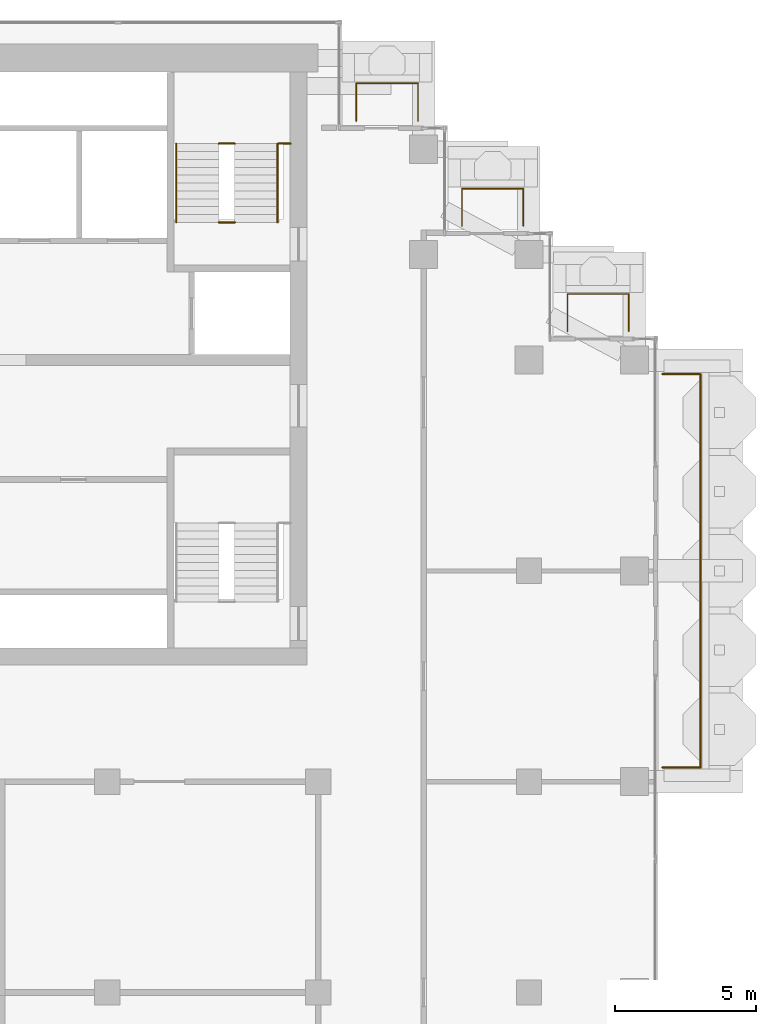
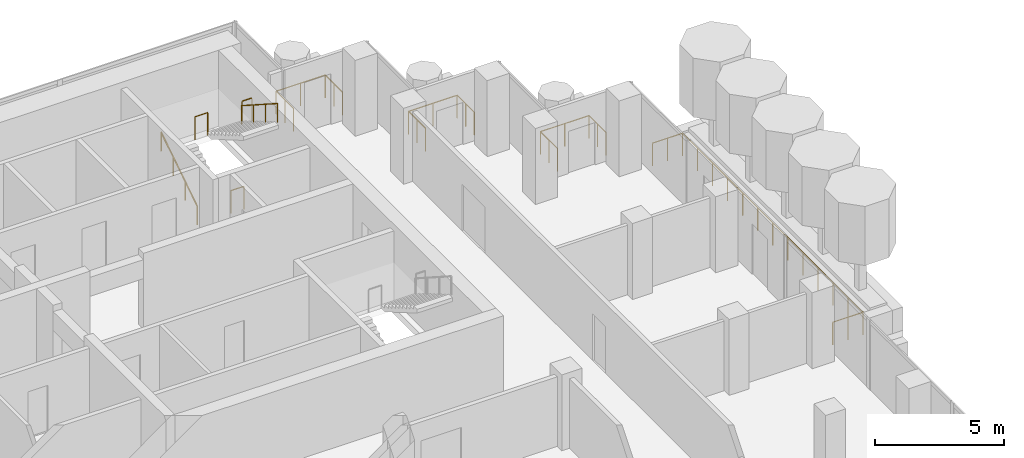
# One storey, part 17 of 18: 9 railings.
"""IFC4 building model written with IfcOpenShell, lengths in metres."""

from ifc_helpers import new_model, si_unit, direction, frame, origin, origin_2d, place, context, subcontext, project, spatial, circle, extrude, material, type_object, element, save


model = new_model("IFC4")

# Units and contexts
model_context = context("Model", 3, precision=1e-05, world=origin(), true_north=direction((0.0, 1.0)))
body_context = subcontext(model_context, "Body", "Model", "MODEL_VIEW")
ifc_project = project(units=[si_unit("LENGTHUNIT", "METRE"), si_unit("AREAUNIT", "SQUARE_METRE"), si_unit("VOLUMEUNIT", "CUBIC_METRE"), si_unit("PLANEANGLEUNIT", "RADIAN"), si_unit("MASSUNIT", "GRAM", prefix="KILO")], contexts=[model_context])

# Site, building, storey
site_placement = place(None, origin())
site = spatial("IfcSite", under=ifc_project, at=site_placement, CompositionType="ELEMENT")
building_placement = place(site_placement, origin())
building = spatial("IfcBuilding", under=site, at=building_placement, Name="Pilkhan Gate Tower", CompositionType="ELEMENT")
storey_placement = place(building_placement, frame((0.0, 0.0, 195.89990234375)))
storey = spatial("IfcBuildingStorey", under=building, at=storey_placement, Name="L50", CompositionType="ELEMENT", Elevation=195.89990234375)

# Railings
ifc_material_1 = material(Name="Pale anodised aluminium posts, laminated glass infill", Category="aluminium")
railing_type_1 = type_object("IfcRailingType", Name="Balcony guard G1", PredefinedType="BALUSTRADE", material=ifc_material_1)
railing_1_placement = place(storey_placement, frame((102.25, 68.0, 0.0)))
element("IfcRailing", 1, at=railing_1_placement, inside=storey, type_object=railing_type_1, Name="Balcony guard L50 E", PredefinedType="BALUSTRADE", context=body_context, shape_type="SweptSolid", body=[
    extrude(circle(Radius=0.02392578125, at=origin_2d()), frame((0.0, 0.0, 1.076171875), z_axis=(1.0, 0.0, 0.0), x_axis=(0.0, 1.0, 0.0)), (0.0, 0.0, 1.0), 1.35009765625),
    extrude(circle(Radius=0.02392578125, at=origin_2d()), frame((1.35009765625, 0.0, 1.076171875), z_axis=(0.0, 1.0, 0.0), x_axis=(-1.0, 0.0, 0.0)), (0.0, 0.0, 1.0), 14.0),
    extrude(circle(Radius=0.02392578125, at=origin_2d()), frame((1.35009765625, 14.0, 1.076171875), z_axis=(-1.0, 0.0, 0.0), x_axis=(0.0, -1.0, 0.0)), (0.0, 0.0, 1.0), 1.35009765625),
    extrude(circle(Radius=0.02099609375, at=origin_2d()), origin(), (0.0, 0.0, 1.0), 1.052001953125),
    extrude(circle(Radius=0.02099609375, at=origin_2d()), frame((0.675048828125, 0.0, 0.0)), (0.0, 0.0, 1.0), 1.052001953125),
    extrude(circle(Radius=0.02099609375, at=origin_2d()), frame((1.35009765625, 0.0, 0.0)), (0.0, 0.0, 1.0), 1.052001953125),
    extrude(circle(Radius=0.02099609375, at=origin_2d()), frame((1.35009765625, 1.166748046875, 0.0)), (0.0, 0.0, 1.0), 1.052001953125),
    extrude(circle(Radius=0.02099609375, at=origin_2d()), frame((1.35009765625, 2.333251953125, 0.0)), (0.0, 0.0, 1.0), 1.052001953125),
    extrude(circle(Radius=0.02099609375, at=origin_2d()), frame((1.35009765625, 3.5, 0.0)), (0.0, 0.0, 1.0), 1.052001953125),
    extrude(circle(Radius=0.02099609375, at=origin_2d()), frame((1.35009765625, 4.666748046875, 0.0)), (0.0, 0.0, 1.0), 1.052001953125),
    extrude(circle(Radius=0.02099609375, at=origin_2d()), frame((1.35009765625, 5.833251953125, 0.0)), (0.0, 0.0, 1.0), 1.052001953125),
    extrude(circle(Radius=0.02099609375, at=origin_2d()), frame((1.35009765625, 7.0, 0.0)), (0.0, 0.0, 1.0), 1.052001953125),
    extrude(circle(Radius=0.02099609375, at=origin_2d()), frame((1.35009765625, 8.166748046875, 0.0)), (0.0, 0.0, 1.0), 1.052001953125),
    extrude(circle(Radius=0.02099609375, at=origin_2d()), frame((1.35009765625, 9.333251953125, 0.0)), (0.0, 0.0, 1.0), 1.052001953125),
    extrude(circle(Radius=0.02099609375, at=origin_2d()), frame((1.35009765625, 10.5, 0.0)), (0.0, 0.0, 1.0), 1.052001953125),
    extrude(circle(Radius=0.02099609375, at=origin_2d()), frame((1.35009765625, 11.666748046875, 0.0)), (0.0, 0.0, 1.0), 1.052001953125),
    extrude(circle(Radius=0.02099609375, at=origin_2d()), frame((1.35009765625, 12.833251953125, 0.0)), (0.0, 0.0, 1.0), 1.052001953125),
    extrude(circle(Radius=0.02099609375, at=origin_2d()), frame((1.35009765625, 14.0, 0.0)), (0.0, 0.0, 1.0), 1.052001953125),
    extrude(circle(Radius=0.02099609375, at=origin_2d()), frame((0.675048828125, 14.0, 0.0)), (0.0, 0.0, 1.0), 1.052001953125),
    extrude(circle(Radius=0.02099609375, at=origin_2d()), frame((0.0, 14.0, 0.0)), (0.0, 0.0, 1.0), 1.052001953125),
])
railing_2_placement = place(storey_placement, frame((91.35009765625, 91.0, 0.0)))
element("IfcRailing", 2, at=railing_2_placement, inside=storey, type_object=railing_type_1, Name="Balcony guard L50 N", PredefinedType="BALUSTRADE", context=body_context, shape_type="SweptSolid", body=[
    extrude(circle(Radius=0.02392578125, at=origin_2d()), frame((0.0, 0.0, 1.076171875), z_axis=(0.0, 1.0, 0.0), x_axis=(-1.0, 0.0, 0.0)), (0.0, 0.0, 1.0), 1.35009765625),
    extrude(circle(Radius=0.02392578125, at=origin_2d()), frame((0.0, 1.35009765625, 1.076171875), z_axis=(1.0, 0.0, 0.0), x_axis=(0.0, 1.0, 0.0)), (0.0, 0.0, 1.0), 2.199951171875),
    extrude(circle(Radius=0.02392578125, at=origin_2d()), frame((2.199951171875, 1.35009765625, 1.076171875), z_axis=(0.0, -1.0, 0.0), x_axis=(1.0, 0.0, 0.0)), (0.0, 0.0, 1.0), 1.35009765625),
    extrude(circle(Radius=0.02099609375, at=origin_2d()), origin(), (0.0, 0.0, 1.0), 1.052001953125),
    extrude(circle(Radius=0.02099609375, at=origin_2d()), frame((0.0, 0.675048828125, 0.0)), (0.0, 0.0, 1.0), 1.052001953125),
    extrude(circle(Radius=0.02099609375, at=origin_2d()), frame((0.0, 1.35009765625, 0.0)), (0.0, 0.0, 1.0), 1.052001953125),
    extrude(circle(Radius=0.02099609375, at=origin_2d()), frame((1.10009765625, 1.35009765625, 0.0)), (0.0, 0.0, 1.0), 1.052001953125),
    extrude(circle(Radius=0.02099609375, at=origin_2d()), frame((2.199951171875, 1.35009765625, 0.0)), (0.0, 0.0, 1.0), 1.052001953125),
    extrude(circle(Radius=0.02099609375, at=origin_2d()), frame((2.199951171875, 0.675048828125, 0.0)), (0.0, 0.0, 1.0), 1.052001953125),
    extrude(circle(Radius=0.02099609375, at=origin_2d()), frame((2.199951171875, 0.0, 0.0)), (0.0, 0.0, 1.0), 1.052001953125),
])
for number, where, name in (
    (3, (95.1201171875, 87.27001953125, 0.0), "Balcony guard L50 N"),
    (4, (98.8701171875, 83.52001953125, 0.0), "Balcony guard L50 N"),
):
    element("IfcRailing", number, at=place(storey_placement, frame(where)), inside=storey, type_object=railing_type_1, Name=name, PredefinedType="BALUSTRADE", context=body_context, shape_type="SweptSolid", body=[
        extrude(circle(Radius=0.02392578125, at=origin_2d()), frame((0.0, 0.0, 1.076171875), z_axis=(0.0, 1.0, 0.0), x_axis=(-1.0, 0.0, 0.0)), (0.0, 0.0, 1.0), 1.330078125),
        extrude(circle(Radius=0.02392578125, at=origin_2d()), frame((0.0, 1.330078125, 1.076171875), z_axis=(1.0, 0.0, 0.0), x_axis=(0.0, 1.0, 0.0)), (0.0, 0.0, 1.0), 2.179931640625),
        extrude(circle(Radius=0.02392578125, at=origin_2d()), frame((2.179931640625, 1.330078125, 1.076171875), z_axis=(0.0, -1.0, 0.0), x_axis=(1.0, 0.0, 0.0)), (0.0, 0.0, 1.0), 1.330078125),
        extrude(circle(Radius=0.02099609375, at=origin_2d()), origin(), (0.0, 0.0, 1.0), 1.052001953125),
        extrude(circle(Radius=0.02099609375, at=origin_2d()), frame((0.0, 0.6650390625, 0.0)), (0.0, 0.0, 1.0), 1.052001953125),
        extrude(circle(Radius=0.02099609375, at=origin_2d()), frame((0.0, 1.330078125, 0.0)), (0.0, 0.0, 1.0), 1.052001953125),
        extrude(circle(Radius=0.02099609375, at=origin_2d()), frame((1.08984375, 1.330078125, 0.0)), (0.0, 0.0, 1.0), 1.052001953125),
        extrude(circle(Radius=0.02099609375, at=origin_2d()), frame((2.179931640625, 1.330078125, 0.0)), (0.0, 0.0, 1.0), 1.052001953125),
        extrude(circle(Radius=0.02099609375, at=origin_2d()), frame((2.179931640625, 0.6650390625, 0.0)), (0.0, 0.0, 1.0), 1.052001953125),
        extrude(circle(Radius=0.02099609375, at=origin_2d()), frame((2.179931640625, 0.0, 0.0)), (0.0, 0.0, 1.0), 1.052001953125),
    ])
ifc_material_2 = material(Name="Black powder-coated steel tube", Category="steel")
railing_type_2 = type_object("IfcRailingType", Name="Stair handrail HR1", PredefinedType="HANDRAIL", material=ifc_material_2)
railing_3_placement = place(storey_placement, frame((84.949951171875, 87.39990234375, 0.0)))
element("IfcRailing", 5, at=railing_3_placement, inside=storey, type_object=railing_type_2, Name="Stair ST4 handrail L50", PredefinedType="HANDRAIL", context=body_context, shape_type="SweptSolid", body=[
    extrude(circle(Radius=0.02392578125, at=origin_2d()), frame((0.0, 0.0, 0.8759765625), z_axis=(0.0, 0.841176092368, 0.540761298198), x_axis=(-1.0, 0.0, 0.0)), (0.0, 0.0, 1.0), 3.32861328125),
    extrude(circle(Radius=0.02099609375, at=origin_2d()), origin(), (0.0, 0.0, 1.0), 0.851806640625),
    extrude(circle(Radius=0.02099609375, at=origin_2d()), frame((0.0, 0.933349609375, 0.60009765625)), (0.0, 0.0, 1.0), 0.851806640625),
    extrude(circle(Radius=0.02099609375, at=origin_2d()), frame((0.0, 1.86669921875, 1.199951171875)), (0.0, 0.0, 1.0), 0.851806640625),
    extrude(circle(Radius=0.02099609375, at=origin_2d()), frame((0.0, 2.800048828125, 1.800048828125)), (0.0, 0.0, 1.0), 0.851806640625),
])
railing_4_placement = place(storey_placement, frame((88.550048828125, 90.199951171875, 1.800048828125)))
element("IfcRailing", 6, at=railing_4_placement, inside=storey, type_object=railing_type_2, Name="Stair ST4 handrail L50", PredefinedType="HANDRAIL", context=body_context, shape_type="SweptSolid", body=[
    extrude(circle(Radius=0.02392578125, at=origin_2d()), frame((0.0, 0.0, 0.8759765625), z_axis=(0.0, -0.841176092368, 0.540761298198), x_axis=(1.0, 0.0, 0.0)), (0.0, 0.0, 1.0), 3.32861328125),
    extrude(circle(Radius=0.02099609375, at=origin_2d()), origin(), (0.0, 0.0, 1.0), 0.851806640625),
    extrude(circle(Radius=0.02099609375, at=origin_2d()), frame((0.0, -0.933349609375, 0.60009765625)), (0.0, 0.0, 1.0), 0.851806640625),
    extrude(circle(Radius=0.02099609375, at=origin_2d()), frame((0.0, -1.86669921875, 1.199951171875)), (0.0, 0.0, 1.0), 0.851806640625),
    extrude(circle(Radius=0.02099609375, at=origin_2d()), frame((0.0, -2.800048828125, 1.800048828125)), (0.0, 0.0, 1.0), 0.851806640625),
])
ifc_material_3 = material(Name="Black powder-coated steel balusters", Category="steel")
railing_type_3 = type_object("IfcRailingType", Name="Stair well guard G3", PredefinedType="GUARDRAIL", material=ifc_material_3)
railing_5_placement = place(storey_placement, frame((88.580078125, 90.199951171875, 1.800048828125)))
element("IfcRailing", 7, at=railing_5_placement, inside=storey, type_object=railing_type_3, Name="Stair ST4 well guard L50", PredefinedType="GUARDRAIL", context=body_context, shape_type="SweptSolid", body=[
    extrude(circle(Radius=0.02392578125, at=origin_2d()), frame((0.0, 0.0, 1.076171875), z_axis=(1.0, 0.0, 0.0), x_axis=(0.0, 1.0, 0.0)), (0.0, 0.0, 1.0), 0.43994140625),
    extrude(circle(Radius=0.02099609375, at=origin_2d()), origin(), (0.0, 0.0, 1.0), 1.052001953125),
    extrude(circle(Radius=0.02099609375, at=origin_2d()), frame((0.43994140625, 0.0, 0.0)), (0.0, 0.0, 1.0), 1.052001953125),
])
for number, where, name in (
    (8, (86.4599609375, 87.39990234375, 0.0), "Stair ST4 well guard L50"),
    (9, (86.4599609375, 90.199951171875, 1.800048828125), "Stair ST4 well guard L50"),
):
    element("IfcRailing", number, at=place(storey_placement, frame(where)), inside=storey, type_object=railing_type_3, Name=name, PredefinedType="GUARDRAIL", context=body_context, shape_type="SweptSolid", body=[
        extrude(circle(Radius=0.02392578125, at=origin_2d()), frame((0.0, 0.0, 1.076171875), z_axis=(1.0, 0.0, 0.0), x_axis=(0.0, 1.0, 0.0)), (0.0, 0.0, 1.0), 0.580078125),
        extrude(circle(Radius=0.02099609375, at=origin_2d()), origin(), (0.0, 0.0, 1.0), 1.052001953125),
        extrude(circle(Radius=0.02099609375, at=origin_2d()), frame((0.580078125, 0.0, 0.0)), (0.0, 0.0, 1.0), 1.052001953125),
    ])

save(model, "model.ifc")
